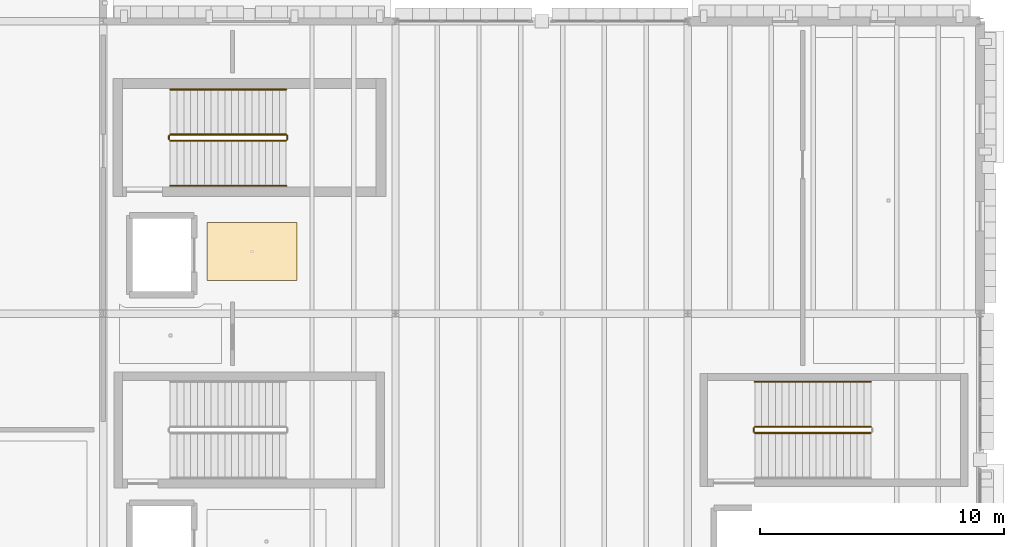
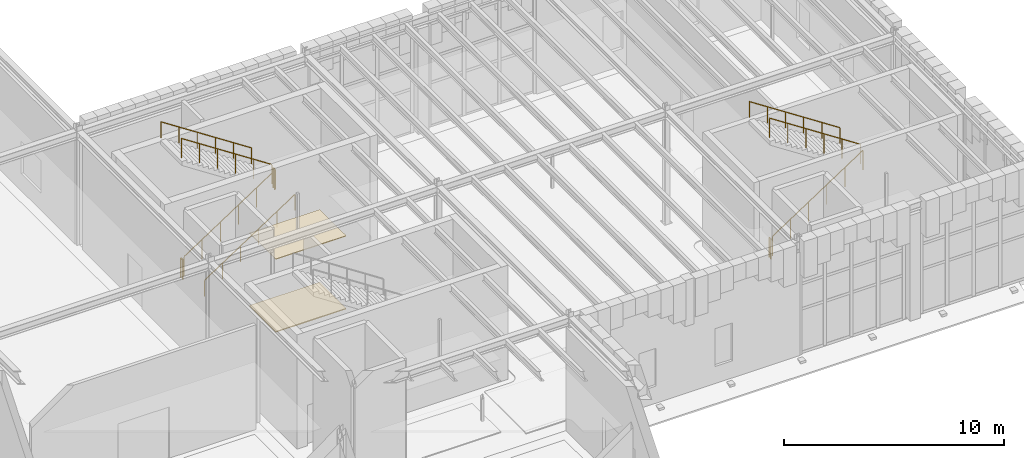
# One storey, part 59 of 62: 10 railings, 2 coverings.
"""IFC4 building model written with IfcOpenShell, lengths in metres."""

import ifcopenshell
import ifcopenshell.guid

model = None  # the IFC model being written
_history = None  # IfcOwnerHistory: only IFC2X3 demands one
_inside = {}  # id of a spatial element -> (the spatial element, [elements in it])
_under = {}  # id of a project, library or spatial element -> (it, [spatial elements below it])
_declared = {}  # id of a project -> (the project, [libraries it declares])
_typed = {}  # id of a type object -> (the type object, [elements of that type])
_made_of = {}  # id of a material, layer set ... -> (it, [elements and type objects made of it])


def new_model(schema):
    """Start an empty IFC model of exactly this schema.

    Asked for "IFC4X3", IfcOpenShell would pick the latest addendum, in which some entities
    have other attributes; the version numbers below select the first issue.
    IFC2X3 requires an IfcOwnerHistory on every rooted entity: one is made here for all.
    """
    global model, _history
    if schema == "IFC4X3":
        model = ifcopenshell.file(schema_version=(4, 3, 0, 0))
    else:
        model = ifcopenshell.file(schema=schema)
    _inside.clear()
    _under.clear()
    _declared.clear()
    _typed.clear()
    _made_of.clear()
    _history = None
    if model.schema == "IFC2X3":
        org = make("IfcOrganization", Name="unknown")
        user = make(
            "IfcPersonAndOrganization",
            ThePerson=make("IfcPerson", FamilyName="unknown"),
            TheOrganization=org,
        )
        app = make(
            "IfcApplication",
            ApplicationDeveloper=org,
            Version="unknown",
            ApplicationFullName="unknown",
            ApplicationIdentifier="unknown",
        )
        _history = make(
            "IfcOwnerHistory",
            OwningUser=user,
            OwningApplication=app,
            ChangeAction="ADDED",
            CreationDate=0,
        )
    return model


def make(cls, **values):
    """One entity of the class cls with the attributes given. An attribute that is None is left unset."""
    return model.create_entity(
        cls, **{name: value for name, value in values.items() if value is not None}
    )


def rooted(cls, **values):
    """An entity with a GlobalId (a new one), such as an element, a storey or a relation."""
    return make(cls, GlobalId=ifcopenshell.guid.new(), OwnerHistory=_history, **values)


def si_unit(unit_type, name, prefix=None):
    """IfcSIUnit, for example si_unit("LENGTHUNIT", "METRE", prefix="MILLI")."""
    return make("IfcSIUnit", UnitType=unit_type, Prefix=prefix, Name=name)


def assignment(units):
    """IfcUnitAssignment: the units of a project."""
    return None if units is None else make("IfcUnitAssignment", Units=units)


def point(xyz):
    """IfcCartesianPoint."""
    return None if xyz is None else make("IfcCartesianPoint", Coordinates=xyz)


def direction(xyz):
    """IfcDirection."""
    return None if xyz is None else make("IfcDirection", DirectionRatios=xyz)


def frame(location, z_axis=None, x_axis=None):
    """IfcAxis2Placement3D, a coordinate frame: its origin and axes. An axis left out is left unset."""
    return make(
        "IfcAxis2Placement3D",
        Location=point(location),
        Axis=direction(z_axis),
        RefDirection=direction(x_axis),
    )


def frame_2d(location, x_axis=None):
    """IfcAxis2Placement2D, a coordinate frame in the plane: its origin and x axis."""
    return make(
        "IfcAxis2Placement2D", Location=point(location), RefDirection=direction(x_axis)
    )


def origin():
    """The frame at (0, 0, 0) with its axes left unset."""
    return frame((0.0, 0.0, 0.0))


def origin_2d():
    """The frame at (0, 0) in the plane with its x axis left unset."""
    return frame_2d((0.0, 0.0))


def place(relative_to, where):
    """IfcLocalPlacement: puts the frame where relative to a parent placement (None: the world)."""
    return make(
        "IfcLocalPlacement", PlacementRelTo=relative_to, RelativePlacement=where
    )


def context(
    kind, dimensions, precision=None, world=None, true_north=None, identifier=None
):
    """IfcGeometricRepresentationContext, for example the 3D "Model" context."""
    return make(
        "IfcGeometricRepresentationContext",
        ContextIdentifier=identifier,
        ContextType=kind,
        CoordinateSpaceDimension=dimensions,
        Precision=precision,
        WorldCoordinateSystem=world,
        TrueNorth=true_north,
    )


def subcontext(parent, identifier, kind, view, scale=None):
    """IfcGeometricRepresentationSubContext, for example "Body" below "Model"."""
    return make(
        "IfcGeometricRepresentationSubContext",
        ContextIdentifier=identifier,
        ContextType=kind,
        ParentContext=parent,
        TargetScale=scale,
        TargetView=view,
    )


def project(units=None, contexts=None):
    """IfcProject with its units and contexts."""
    return rooted(
        "IfcProject",
        Name="project",
        RepresentationContexts=contexts,
        UnitsInContext=assignment(units),
    )


def spatial(cls, under=None, at=None, **own):
    """A site, building, storey or space (cls), placed at a placement, below another one or the project."""
    s = rooted(cls, ObjectPlacement=at, **own)
    if under is not None:
        _under.setdefault(under.id(), (under, []))[1].append(s)
    return s


def polyline(points):
    """IfcPolyline through the points."""
    return make("IfcPolyline", Points=[point(p) for p in points])


def profile(cls, at=None, kind="AREA", **sizes):
    """A parametric profile (cls). Its sizes go by their IFC names, for example OverallWidth=200.0."""
    return make(cls, ProfileType=kind, Position=at, **sizes)


def circle(**sizes):
    """IfcCircleProfileDef."""
    return profile("IfcCircleProfileDef", **sizes)


def outline(outer, holes=None, kind="AREA"):
    """IfcArbitraryClosedProfileDef: a profile drawn as a closed curve; with holes, ...WithVoids."""
    if holes is None:
        return make("IfcArbitraryClosedProfileDef", ProfileType=kind, OuterCurve=outer)
    return make(
        "IfcArbitraryProfileDefWithVoids",
        ProfileType=kind,
        OuterCurve=outer,
        InnerCurves=holes,
    )


def extrude(swept, where, along, depth):
    """IfcExtrudedAreaSolid: the profile swept, set in the frame where, extruded along a direction by depth."""
    return make(
        "IfcExtrudedAreaSolid",
        SweptArea=swept,
        Position=where,
        ExtrudedDirection=direction(along),
        Depth=depth,
    )


def shape(context_of_items, identifier, shape_type, items):
    """IfcShapeRepresentation: the items that make up one representation, for example the "Body"."""
    return make(
        "IfcShapeRepresentation",
        ContextOfItems=context_of_items,
        RepresentationIdentifier=identifier,
        RepresentationType=shape_type,
        Items=items,
    )


def material(Name=None, Category=None):
    """IfcMaterial."""
    return make("IfcMaterial", Name=Name, Category=Category)


def layer(
    of_material, thickness, ventilated=None, Name=None, Category=None, Priority=None
):
    """IfcMaterialLayer: one layer of a wall or slab, of a material (None: an air gap)."""
    return make(
        "IfcMaterialLayer",
        Material=of_material,
        LayerThickness=thickness,
        IsVentilated=ventilated,
        Name=Name,
        Category=Category,
        Priority=Priority,
    )


def layer_set(layers, Name=None):
    """IfcMaterialLayerSet."""
    return make("IfcMaterialLayerSet", MaterialLayers=layers, LayerSetName=Name)


def made_of(thing, what):
    """Note that an element or type object is made of a material, layer set ...; save() writes the relation."""
    if what is not None:
        _made_of.setdefault(what.id(), (what, []))[1].append(thing)
    return thing


def type_object(cls, material=None, **own):
    """A type object (cls), such as IfcWallType, which elements share."""
    return made_of(rooted(cls, **own), material)


def element(
    cls,
    number,
    at=None,
    inside=None,
    cuts=None,
    type_object=None,
    material=None,
    context=None,
    identifier="Body",
    shape_type=None,
    held_by="IfcProductDefinitionShape",
    body=None,
    shapes=None,
    **own,
):
    """One element of the class cls, such as IfcWall. Its Tag is "e" and its number.

    at: its placement. inside: the storey or other place that contains it. cuts: it is an
    opening in that element (IfcRelVoidsElement). A single representation is given by context,
    identifier, shape_type and body (its items); several are given by shapes. held_by: the class
    of the entity that holds the representations. save() writes the other relations.
    """
    e = rooted(cls, Tag="e%d" % number, ObjectPlacement=at, **own)
    if body is not None:
        shapes = [shape(context, identifier, shape_type, body)]
    if shapes is not None:
        e.Representation = make(held_by, Representations=shapes)
    if inside is not None:
        _inside.setdefault(inside.id(), (inside, []))[1].append(e)
    if cuts is not None:
        rooted(
            "IfcRelVoidsElement", RelatingBuildingElement=cuts, RelatedOpeningElement=e
        )
    if type_object is not None:
        _typed.setdefault(type_object.id(), (type_object, []))[1].append(e)
    return made_of(e, material)


def aggregate(whole, parts):
    """IfcRelAggregates: a whole, such as a stair, and the parts it consists of."""
    return rooted("IfcRelAggregates", RelatingObject=whole, RelatedObjects=parts)


def save(model, path):
    """Write the relations noted so far, then the file.

    IfcRelAggregates (storeys below a building ...), IfcRelContainedInSpatialStructure (elements
    in a storey), IfcRelDefinesByType, IfcRelAssociatesMaterial and IfcRelDeclares: one each for
    every whole, place, type object, material and project.
    """
    for whole, parts in _under.values():
        aggregate(whole, parts)
    for where, things in _inside.values():
        rooted(
            "IfcRelContainedInSpatialStructure",
            RelatedElements=things,
            RelatingStructure=where,
        )
    for kind, things in _typed.values():
        rooted("IfcRelDefinesByType", RelatedObjects=things, RelatingType=kind)
    for what, things in _made_of.values():
        rooted("IfcRelAssociatesMaterial", RelatedObjects=things, RelatingMaterial=what)
    for by, libraries in _declared.values():
        rooted("IfcRelDeclares", RelatingContext=by, RelatedDefinitions=libraries)
    model.write(path)


model = new_model("IFC4")

# Units and contexts
model_context = context("Model", 3, precision=1e-05, world=origin(), true_north=direction((0.0, 1.0)))
body_context = subcontext(model_context, "Body", "Model", "MODEL_VIEW")
ifc_project = project(units=[si_unit("LENGTHUNIT", "METRE"), si_unit("AREAUNIT", "SQUARE_METRE"), si_unit("VOLUMEUNIT", "CUBIC_METRE"), si_unit("PLANEANGLEUNIT", "RADIAN"), si_unit("MASSUNIT", "GRAM", prefix="KILO")], contexts=[model_context])

# Site, building, storey
site_placement = place(None, origin())
site = spatial("IfcSite", under=ifc_project, at=site_placement, CompositionType="ELEMENT")
building_placement = place(site_placement, origin())
building = spatial("IfcBuilding", under=site, at=building_placement, Name="Zlatogorsky Bluff Art Gallery", CompositionType="ELEMENT")
storey_placement = place(building_placement, frame((0.0, 0.0, 16.800048828125)))
storey = spatial("IfcBuildingStorey", under=building, at=storey_placement, Name="L03", CompositionType="ELEMENT", Elevation=16.800048828125)

# Covering
ifc_material_1 = material(Name="Perforated Gypsum Acoustic Board", Category="gypsum")
ifc_layer_1 = layer(ifc_material_1, 0.0400390625)
ifc_layer_set_1 = layer_set([ifc_layer_1], Name="Acoustic Gallery Ceiling CLG-01")
covering_type_1 = type_object("IfcCoveringType", Name="Acoustic Gallery Ceiling CLG-01", PredefinedType="CEILING", material=ifc_layer_set_1)
covering_1_placement = place(storey_placement, frame((0.0, 0.0, 4.050048828125)))
element("IfcCovering", 1, at=covering_1_placement, inside=storey, type_object=covering_type_1, Name="Lift Lobby PL-1 acoustic ceiling", PredefinedType="CEILING", context=body_context, shape_type="SweptSolid", body=[
    extrude(outline(polyline([(127.949951171875, 99.75), (127.949951171875, 97.35009765625), (124.25, 97.35009765625), (124.25, 99.75), (127.949951171875, 99.75)])), origin(), (0.0, 0.0, 1.0), 0.039794921875),
])

# Railings
ifc_material_2 = material(Name="Architectural Bronze and Laminated Glass", Category="glass")
railing_type_1 = type_object("IfcRailingType", Name="Gallery Guard Rail 1100mm", PredefinedType="GUARDRAIL", material=ifc_material_2)
railing_1_placement = place(storey_placement, frame((122.75, 103.10009765625, 0.183349609375)))
element("IfcRailing", 2, at=railing_1_placement, inside=storey, type_object=railing_type_1, Name="L03 ST-03 stair guard 1", PredefinedType="GUARDRAIL", context=body_context, shape_type="SweptSolid", body=[
    extrude(circle(Radius=0.02392578125, at=origin_2d()), frame((0.0, 0.0, 1.076171875), z_axis=(0.836616421643, 0.0, 0.547789159291), x_axis=(0.0, 1.0, 0.0)), (0.0, 0.0, 1.0), 5.689697265625),
    extrude(circle(Radius=0.02099609375, at=origin_2d()), origin(), (0.0, 0.0, 1.0), 1.052001953125),
    extrude(circle(Radius=0.02099609375, at=origin_2d()), frame((0.951904296875, 0.0, 0.623291015625)), (0.0, 0.0, 1.0), 1.052001953125),
    extrude(circle(Radius=0.02099609375, at=origin_2d()), frame((1.904052734375, 0.0, 1.24658203125)), (0.0, 0.0, 1.0), 1.052001953125),
    extrude(circle(Radius=0.02099609375, at=origin_2d()), frame((2.85595703125, 0.0, 1.8701171875)), (0.0, 0.0, 1.0), 1.052001953125),
    extrude(circle(Radius=0.02099609375, at=origin_2d()), frame((3.80810546875, 0.0, 2.493408203125)), (0.0, 0.0, 1.0), 1.052001953125),
    extrude(circle(Radius=0.02099609375, at=origin_2d()), frame((4.760009765625, 0.0, 3.11669921875)), (0.0, 0.0, 1.0), 1.052001953125),
])
railing_2_placement = place(storey_placement, frame((127.56005859375, 103.14990234375, 3.300048828125)))
element("IfcRailing", 3, at=railing_2_placement, inside=storey, type_object=railing_type_1, Name="L03 ST-03 stair guard 2", PredefinedType="GUARDRAIL", context=body_context, shape_type="SweptSolid", body=[
    extrude(circle(Radius=0.02392578125, at=origin_2d()), frame((0.0, 0.0, 1.076171875), z_axis=(0.0, 1.0, 0.0), x_axis=(-1.0, 0.0, 0.0)), (0.0, 0.0, 1.0), 0.150146484375),
    extrude(circle(Radius=0.02099609375, at=origin_2d()), origin(), (0.0, 0.0, 1.0), 1.052001953125),
    extrude(circle(Radius=0.02099609375, at=origin_2d()), frame((0.0, 0.150146484375, 0.0)), (0.0, 0.0, 1.0), 1.052001953125),
])
railing_3_placement = place(storey_placement, frame((127.510009765625, 103.35009765625, 3.4833984375)))
element("IfcRailing", 4, at=railing_3_placement, inside=storey, type_object=railing_type_1, Name="L03 ST-03 stair guard 3", PredefinedType="GUARDRAIL", context=body_context, shape_type="SweptSolid", body=[
    extrude(circle(Radius=0.02392578125, at=origin_2d()), frame((0.0, 0.0, 1.076171875), z_axis=(-0.836636086768, 0.0, 0.547759124358), x_axis=(0.0, -1.0, 0.0)), (0.0, 0.0, 1.0), 5.689453125),
    extrude(circle(Radius=0.02099609375, at=origin_2d()), origin(), (0.0, 0.0, 1.0), 1.052001953125),
    extrude(circle(Radius=0.02099609375, at=origin_2d()), frame((-0.951904296875, 0.0, 0.623291015625)), (0.0, 0.0, 1.0), 1.052001953125),
    extrude(circle(Radius=0.02099609375, at=origin_2d()), frame((-1.904052734375, 0.0, 1.24658203125)), (0.0, 0.0, 1.0), 1.052001953125),
    extrude(circle(Radius=0.02099609375, at=origin_2d()), frame((-2.85595703125, 0.0, 1.869873046875)), (0.0, 0.0, 1.0), 1.052001953125),
    extrude(circle(Radius=0.02099609375, at=origin_2d()), frame((-3.80810546875, 0.0, 2.4931640625)), (0.0, 0.0, 1.0), 1.052001953125),
    extrude(circle(Radius=0.02099609375, at=origin_2d()), frame((-4.760009765625, 0.0, 3.116455078125)), (0.0, 0.0, 1.0), 1.052001953125),
])
railing_4_placement = place(storey_placement, frame((122.699951171875, 103.14990234375, 0.0)))
element("IfcRailing", 5, at=railing_4_placement, inside=storey, type_object=railing_type_1, Name="L03 ST-03 stair guard 4", PredefinedType="GUARDRAIL", context=body_context, shape_type="SweptSolid", body=[
    extrude(circle(Radius=0.02392578125, at=origin_2d()), frame((0.0, 0.0, 1.076171875), z_axis=(0.0, 1.0, 0.0), x_axis=(-1.0, 0.0, 0.0)), (0.0, 0.0, 1.0), 0.150146484375),
    extrude(circle(Radius=0.02099609375, at=origin_2d()), origin(), (0.0, 0.0, 1.0), 1.052001953125),
    extrude(circle(Radius=0.02099609375, at=origin_2d()), frame((0.0, 0.150146484375, 0.0)), (0.0, 0.0, 1.0), 1.052001953125),
])
railing_5_placement = place(storey_placement, frame((146.75, 91.10009765625, 0.183349609375)))
element("IfcRailing", 6, at=railing_5_placement, inside=storey, type_object=railing_type_1, Name="L03 ST-04 stair guard 1", PredefinedType="GUARDRAIL", context=body_context, shape_type="SweptSolid", body=[
    extrude(circle(Radius=0.02392578125, at=origin_2d()), frame((0.0, 0.0, 1.076171875), z_axis=(0.836616421643, 0.0, 0.547789159291), x_axis=(0.0, 1.0, 0.0)), (0.0, 0.0, 1.0), 5.689697265625),
    extrude(circle(Radius=0.02099609375, at=origin_2d()), origin(), (0.0, 0.0, 1.0), 1.052001953125),
    extrude(circle(Radius=0.02099609375, at=origin_2d()), frame((0.951904296875, 0.0, 0.623291015625)), (0.0, 0.0, 1.0), 1.052001953125),
    extrude(circle(Radius=0.02099609375, at=origin_2d()), frame((1.904052734375, 0.0, 1.24658203125)), (0.0, 0.0, 1.0), 1.052001953125),
    extrude(circle(Radius=0.02099609375, at=origin_2d()), frame((2.85595703125, 0.0, 1.8701171875)), (0.0, 0.0, 1.0), 1.052001953125),
    extrude(circle(Radius=0.02099609375, at=origin_2d()), frame((3.80810546875, 0.0, 2.493408203125)), (0.0, 0.0, 1.0), 1.052001953125),
    extrude(circle(Radius=0.02099609375, at=origin_2d()), frame((4.760009765625, 0.0, 3.11669921875)), (0.0, 0.0, 1.0), 1.052001953125),
])
railing_6_placement = place(storey_placement, frame((151.510009765625, 91.35009765625, 3.4833984375)))
element("IfcRailing", 7, at=railing_6_placement, inside=storey, type_object=railing_type_1, Name="L03 ST-04 stair guard 3", PredefinedType="GUARDRAIL", context=body_context, shape_type="SweptSolid", body=[
    extrude(circle(Radius=0.02392578125, at=origin_2d()), frame((0.0, 0.0, 1.076171875), z_axis=(-0.836636086768, 0.0, 0.547759124358), x_axis=(0.0, -1.0, 0.0)), (0.0, 0.0, 1.0), 5.689453125),
    extrude(circle(Radius=0.02099609375, at=origin_2d()), origin(), (0.0, 0.0, 1.0), 1.052001953125),
    extrude(circle(Radius=0.02099609375, at=origin_2d()), frame((-0.951904296875, 0.0, 0.623291015625)), (0.0, 0.0, 1.0), 1.052001953125),
    extrude(circle(Radius=0.02099609375, at=origin_2d()), frame((-1.904052734375, 0.0, 1.24658203125)), (0.0, 0.0, 1.0), 1.052001953125),
    extrude(circle(Radius=0.02099609375, at=origin_2d()), frame((-2.85595703125, 0.0, 1.869873046875)), (0.0, 0.0, 1.0), 1.052001953125),
    extrude(circle(Radius=0.02099609375, at=origin_2d()), frame((-3.80810546875, 0.0, 2.4931640625)), (0.0, 0.0, 1.0), 1.052001953125),
    extrude(circle(Radius=0.02099609375, at=origin_2d()), frame((-4.760009765625, 0.0, 3.116455078125)), (0.0, 0.0, 1.0), 1.052001953125),
])
railing_7_placement = place(storey_placement, frame((146.699951171875, 91.14990234375, 0.0)))
element("IfcRailing", 8, at=railing_7_placement, inside=storey, type_object=railing_type_1, Name="L03 ST-04 stair guard 4", PredefinedType="GUARDRAIL", context=body_context, shape_type="SweptSolid", body=[
    extrude(circle(Radius=0.02392578125, at=origin_2d()), frame((0.0, 0.0, 1.076171875), z_axis=(0.0, 1.0, 0.0), x_axis=(-1.0, 0.0, 0.0)), (0.0, 0.0, 1.0), 0.150146484375),
    extrude(circle(Radius=0.02099609375, at=origin_2d()), origin(), (0.0, 0.0, 1.0), 1.052001953125),
    extrude(circle(Radius=0.02099609375, at=origin_2d()), frame((0.0, 0.150146484375, 0.0)), (0.0, 0.0, 1.0), 1.052001953125),
])
ifc_material_3 = material(Name="Brushed Stainless Steel", Category="steel")
railing_type_2 = type_object("IfcRailingType", Name="Stair Pitch Handrail 900mm", PredefinedType="HANDRAIL", material=ifc_material_3)
railing_8_placement = place(storey_placement, frame((122.75, 101.25, 0.183349609375)))
element("IfcRailing", 9, at=railing_8_placement, inside=storey, type_object=railing_type_2, Name="L03 ST-03 stair handrail 1", PredefinedType="HANDRAIL", context=body_context, shape_type="SweptSolid", body=[
    extrude(circle(Radius=0.02392578125, at=origin_2d()), frame((0.0, 0.0, 0.8759765625), z_axis=(0.836616421643, 0.0, 0.547789159291), x_axis=(0.0, 1.0, 0.0)), (0.0, 0.0, 1.0), 5.689697265625),
    extrude(circle(Radius=0.02099609375, at=origin_2d()), origin(), (0.0, 0.0, 1.0), 0.851806640625),
    extrude(circle(Radius=0.02099609375, at=origin_2d()), frame((0.951904296875, 0.0, 0.623291015625)), (0.0, 0.0, 1.0), 0.851806640625),
    extrude(circle(Radius=0.02099609375, at=origin_2d()), frame((1.904052734375, 0.0, 1.24658203125)), (0.0, 0.0, 1.0), 0.851806640625),
    extrude(circle(Radius=0.02099609375, at=origin_2d()), frame((2.85595703125, 0.0, 1.8701171875)), (0.0, 0.0, 1.0), 0.851806640625),
    extrude(circle(Radius=0.02099609375, at=origin_2d()), frame((3.80810546875, 0.0, 2.493408203125)), (0.0, 0.0, 1.0), 0.851806640625),
    extrude(circle(Radius=0.02099609375, at=origin_2d()), frame((4.760009765625, 0.0, 3.11669921875)), (0.0, 0.0, 1.0), 0.851806640625),
])
for number, where, name in (
    (10, (127.510009765625, 105.199951171875, 3.4833984375), "L03 ST-03 stair handrail 2"),
    (11, (151.510009765625, 93.199951171875, 3.4833984375), "L03 ST-04 stair handrail 2"),
):
    element("IfcRailing", number, at=place(storey_placement, frame(where)), inside=storey, type_object=railing_type_2, Name=name, PredefinedType="HANDRAIL", context=body_context, shape_type="SweptSolid", body=[
        extrude(circle(Radius=0.02392578125, at=origin_2d()), frame((0.0, 0.0, 0.8759765625), z_axis=(-0.836636086768, 0.0, 0.547759124358), x_axis=(0.0, -1.0, 0.0)), (0.0, 0.0, 1.0), 5.689453125),
        extrude(circle(Radius=0.02099609375, at=origin_2d()), origin(), (0.0, 0.0, 1.0), 0.851806640625),
        extrude(circle(Radius=0.02099609375, at=origin_2d()), frame((-0.951904296875, 0.0, 0.623291015625)), (0.0, 0.0, 1.0), 0.851806640625),
        extrude(circle(Radius=0.02099609375, at=origin_2d()), frame((-1.904052734375, 0.0, 1.24658203125)), (0.0, 0.0, 1.0), 0.851806640625),
        extrude(circle(Radius=0.02099609375, at=origin_2d()), frame((-2.85595703125, 0.0, 1.869873046875)), (0.0, 0.0, 1.0), 0.851806640625),
        extrude(circle(Radius=0.02099609375, at=origin_2d()), frame((-3.80810546875, 0.0, 2.4931640625)), (0.0, 0.0, 1.0), 0.851806640625),
        extrude(circle(Radius=0.02099609375, at=origin_2d()), frame((-4.760009765625, 0.0, 3.116455078125)), (0.0, 0.0, 1.0), 0.851806640625),
    ])

# Covering
ifc_material_4 = material(Name="Polished Ural Marble Terrazzo", Category="masonry")
ifc_layer_2 = layer(ifc_material_4, 0.050048828125)
ifc_layer_set_2 = layer_set([ifc_layer_2], Name="Terrazzo Gallery Flooring FLR-01")
covering_type_2 = type_object("IfcCoveringType", Name="Terrazzo Gallery Flooring FLR-01", PredefinedType="FLOORING", material=ifc_layer_set_2)
covering_2_placement = place(storey_placement, origin())
element("IfcCovering", 12, at=covering_2_placement, inside=storey, type_object=covering_type_2, Name="Lift Lobby PL-1 terrazzo floor finish", PredefinedType="FLOORING", context=body_context, shape_type="SweptSolid", body=[
    extrude(outline(polyline([(127.949951171875, 99.75), (127.949951171875, 97.35009765625), (124.25, 97.35009765625), (124.25, 99.75), (127.949951171875, 99.75)])), origin(), (0.0, 0.0, 1.0), 0.050048828125),
])

save(model, "model.ifc")
